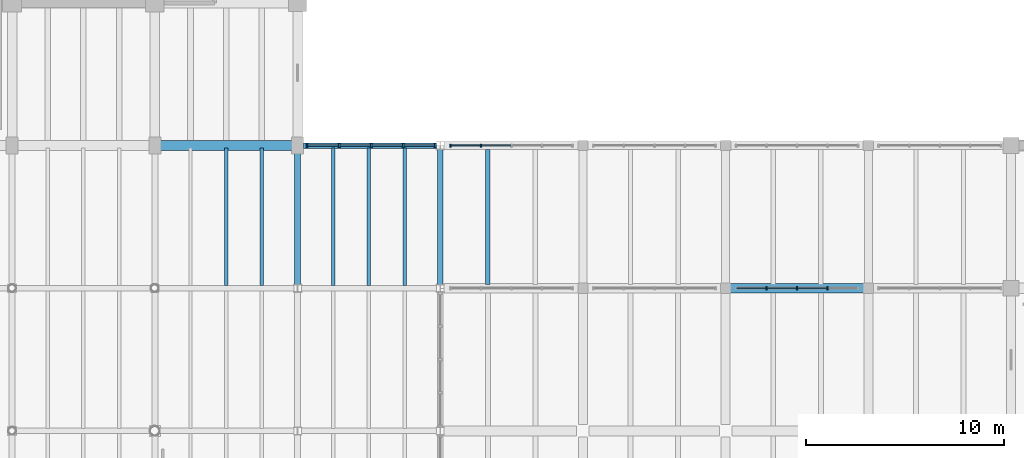
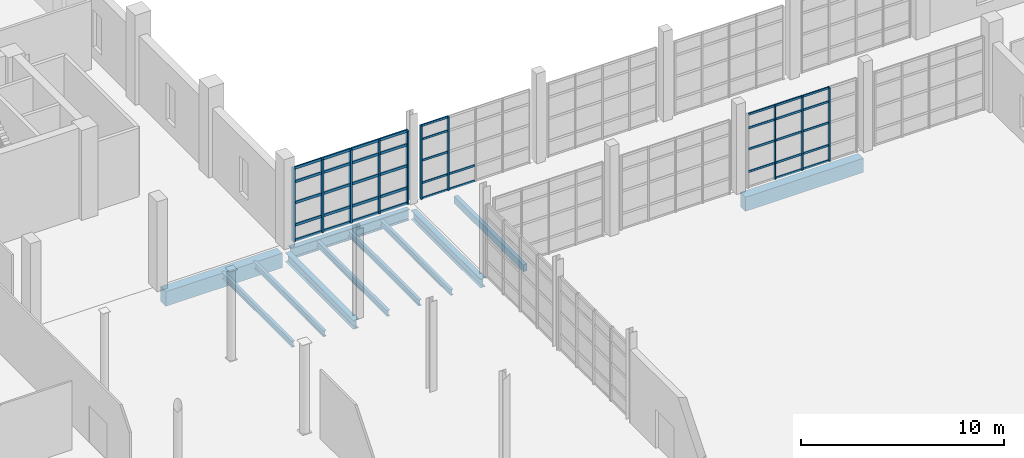
# One storey, part 38 of 79: 51 members, 11 beams, 3 elements without a shape of their own.
"""IFC4 building model written with IfcOpenShell, lengths in metres."""

from ifc_helpers import new_model, si_unit, direction, frame, origin, origin_2d, place, context, subcontext, project, spatial, rectangle, i_section, extrude, material, material_profile, profile_set, type_object, element, aggregate, save


model = new_model("IFC4")

# Units and contexts
model_context = context("Model", 3, precision=1e-05, world=origin(), true_north=direction((0.0, 1.0)))
body_context = subcontext(model_context, "Body", "Model", "MODEL_VIEW")
ifc_project = project(units=[si_unit("LENGTHUNIT", "METRE"), si_unit("AREAUNIT", "SQUARE_METRE"), si_unit("VOLUMEUNIT", "CUBIC_METRE"), si_unit("PLANEANGLEUNIT", "RADIAN"), si_unit("MASSUNIT", "GRAM", prefix="KILO")], contexts=[model_context])

# Site, building, storey
site_placement = place(None, origin())
site = spatial("IfcSite", under=ifc_project, at=site_placement, CompositionType="ELEMENT")
building_placement = place(site_placement, origin())
building = spatial("IfcBuilding", under=site, at=building_placement, Name="Qiaolan Assembly House", CompositionType="ELEMENT")
storey_placement = place(building_placement, origin())
storey = spatial("IfcBuildingStorey", under=building, at=storey_placement, Name="L00", CompositionType="ELEMENT", Elevation=0.0)

# Beams
ifc_material_1 = material(Name="Concrete C45/55", Category="concrete")
ifc_material_profile_1 = material_profile(ifc_material_1, rectangle(XDim=0.5, YDim=0.85009765625, at=origin_2d()), Name="RCB 500x850")
ifc_profile_set_1 = profile_set([ifc_material_profile_1], Name="Concrete C45/55")
beam_type_1 = type_object("IfcBeamType", Name="BM-RC-500x850", PredefinedType="BEAM", material=ifc_profile_set_1)
beam_1_placement = place(storey_placement, frame((122.64990234375, 79.199951171875, -0.764892578125), z_axis=(1.0, 0.0, 0.0), x_axis=(0.0, 1.0, 0.0)))
element("IfcBeam", 1, at=beam_1_placement, inside=storey, type_object=beam_type_1, Name="GB-02 beam BMX-CLCRT-L00-02-05", PredefinedType="BEAM", context=body_context, shape_type="SweptSolid", body=[
    extrude(rectangle(XDim=0.5, YDim=0.85009765625, at=origin_2d()), origin(), (0.0, 0.0, 1.0), 6.7001953125),
])
ifc_material_profile_2 = material_profile(ifc_material_1, rectangle(XDim=0.52001953125, YDim=0.8798828125, at=origin_2d()), Name="RCB 520x880")
ifc_profile_set_2 = profile_set([ifc_material_profile_2], Name="Concrete C45/55")
beam_type_2 = type_object("IfcBeamType", Name="BM-RC-520x880", PredefinedType="BEAM", material=ifc_profile_set_2)
beam_2_placement = place(storey_placement, frame((93.889892578125, 86.39990234375, -0.739990234375), z_axis=(1.0, 0.0, 0.0), x_axis=(0.0, 1.0, 0.0)))
element("IfcBeam", 2, at=beam_2_placement, inside=storey, type_object=beam_type_2, Name="GB-10 beam BMX-NW-L00-08-00", PredefinedType="BEAM", context=body_context, shape_type="SweptSolid", body=[
    extrude(rectangle(XDim=0.52001953125, YDim=0.8798828125, at=origin_2d()), origin(), (0.0, 0.0, 1.0), 6.6201171875),
])
ifc_material_2 = material(Name="Steel Q355B", Category="steel")
ifc_material_profile_3 = material_profile(ifc_material_2, i_section(OverallWidth=0.300048828125, OverallDepth=0.5400390625, WebThickness=0.010986328125, FlangeThickness=0.01806640625, FilletRadius=0.02001953125, at=origin_2d()), Name="HM 540x300x11x18")
ifc_profile_set_3 = profile_set([ifc_material_profile_3], Name="Steel Q355B")
beam_type_3 = type_object("IfcBeamType", Name="BM-STL-HM540", PredefinedType="BEAM", material=ifc_profile_set_3)
beam_3_placement = place(storey_placement, frame((100.800048828125, 79.389892578125, -0.570068359375), z_axis=(0.0, 1.0, 0.0), x_axis=(-1.0, 0.0, 0.0)))
element("IfcBeam", 3, at=beam_3_placement, inside=storey, type_object=beam_type_3, Name="SB-12 beam BMY-HL-L00-11-06", PredefinedType="BEAM", context=body_context, shape_type="SweptSolid", body=[
    extrude(i_section(OverallWidth=0.300048828125, OverallDepth=0.5400390625, WebThickness=0.010986328125, FlangeThickness=0.01806640625, FilletRadius=0.02001953125, at=origin_2d()), origin(), (0.0, 0.0, 1.0), 6.72021484375),
])
beam_4_placement = place(storey_placement, frame((108.0, 79.389892578125, -0.610107421875), z_axis=(0.0, 1.0, 0.0), x_axis=(-1.0, 0.0, 0.0)))
element("IfcBeam", 4, at=beam_4_placement, inside=storey, type_object=beam_type_3, Name="SB-12 beam BMY-HL-L00-12-06", PredefinedType="BEAM", context=body_context, shape_type="SweptSolid", body=[
    extrude(i_section(OverallWidth=0.300048828125, OverallDepth=0.5400390625, WebThickness=0.010986328125, FlangeThickness=0.01806640625, FilletRadius=0.02001953125, at=origin_2d()), origin(), (0.0, 0.0, 1.0), 6.820068359375),
])
ifc_material_profile_4 = material_profile(ifc_material_2, i_section(OverallWidth=0.280029296875, OverallDepth=0.64990234375, WebThickness=0.011962890625, FlangeThickness=0.02197265625, FilletRadius=0.02197265625, at=origin_2d()), Name="HN 650x280x12x22")
ifc_profile_set_4 = profile_set([ifc_material_profile_4], Name="Steel Q355B")
beam_type_4 = type_object("IfcBeamType", Name="BM-STL-HN650", PredefinedType="BEAM", material=ifc_profile_set_4)
beam_5_placement = place(storey_placement, frame((101.090087890625, 86.39990234375, -0.625), z_axis=(1.0, 0.0, 0.0), x_axis=(0.0, 1.0, 0.0)))
element("IfcBeam", 5, at=beam_5_placement, inside=storey, type_object=beam_type_4, Name="SB-10 beam BMX-HL-L00-11-07", PredefinedType="BEAM", context=body_context, shape_type="SweptSolid", body=[
    extrude(i_section(OverallWidth=0.280029296875, OverallDepth=0.64990234375, WebThickness=0.011962890625, FlangeThickness=0.02197265625, FilletRadius=0.02197265625, at=origin_2d()), origin(), (0.0, 0.0, 1.0), 6.719970703125),
])

# Curtain wall, members
ifc_material_3 = material(Name="Anodised bronze aluminium", Category="aluminium")
curtain_wall_type_1 = type_object("IfcCurtainWallType", Name="CW-CLOISTER-420", PredefinedType="NOTDEFINED", material=ifc_material_3)
curtain_wall_1_placement = place(storey_placement, origin())
curtain_wall_1 = element("IfcCurtainWall", 6, at=curtain_wall_1_placement, inside=storey, type_object=curtain_wall_type_1, Name="CW-05 North Cloister outer arcade L00-1", PredefinedType="NOTDEFINED")
ifc_material_profile_5 = material_profile(ifc_material_3, rectangle(XDim=0.070068359375, YDim=0.155029296875, at=origin_2d()), Name="MUL 70x155")
ifc_profile_set_5 = profile_set([ifc_material_profile_5], Name="Anodised bronze aluminium")
member_type_1 = type_object("IfcMemberType", Name="CW-CLOISTER-420-MUL", PredefinedType="MULLION", material=ifc_profile_set_5)
member_1_placement = place(storey_placement, frame((110.06005859375, 86.39990234375, 0.0), z_axis=(0.0, 0.0, 1.0), x_axis=(-1.0, 0.0, 0.0)))
member_1 = element("IfcMember", 7, at=member_1_placement, type_object=member_type_1, Name="ML-06 mullion CW-CLN-OUT-L00-0-4", PredefinedType="MULLION", context=body_context, shape_type="SweptSolid", body=[
    extrude(rectangle(XDim=0.070068359375, YDim=0.155029296875, at=origin_2d()), origin(), (0.0, 0.0, 1.0), 4.419921875),
])
member_2_placement = place(storey_placement, frame((108.52001953125, 86.39990234375, 0.0), z_axis=(0.0, 0.0, 1.0), x_axis=(-1.0, 0.0, 0.0)))
member_2 = element("IfcMember", 8, at=member_2_placement, type_object=member_type_1, Name="ML-06 mullion CW-CLN-OUT-L00-0-5", PredefinedType="MULLION", context=body_context, shape_type="SweptSolid", body=[
    extrude(rectangle(XDim=0.070068359375, YDim=0.155029296875, at=origin_2d()), origin(), (0.0, 0.0, 1.0), 4.419921875),
])

curtain_wall_2_placement = place(storey_placement, origin())
curtain_wall_2 = element("IfcCurtainWall", 9, at=curtain_wall_2_placement, inside=storey, type_object=curtain_wall_type_1, Name="CW-05 North Cloister court arcade L00-3", PredefinedType="NOTDEFINED")
member_3_placement = place(storey_placement, frame((124.4599609375, 79.199951171875, 0.0), z_axis=(0.0, 0.0, 1.0), x_axis=(1.0, 0.0, 0.0)))
member_3 = element("IfcMember", 10, at=member_3_placement, type_object=member_type_1, Name="ML-06 mullion CW-CLN-CRT-L00-2-2", PredefinedType="MULLION", context=body_context, shape_type="SweptSolid", body=[
    extrude(rectangle(XDim=0.070068359375, YDim=0.155029296875, at=origin_2d()), origin(), (0.0, 0.0, 1.0), 4.419921875),
])
member_4_placement = place(storey_placement, frame((126.0, 79.199951171875, 0.0), z_axis=(0.0, 0.0, 1.0), x_axis=(1.0, 0.0, 0.0)))
member_4 = element("IfcMember", 11, at=member_4_placement, type_object=member_type_1, Name="ML-06 mullion CW-CLN-CRT-L00-2-3", PredefinedType="MULLION", context=body_context, shape_type="SweptSolid", body=[
    extrude(rectangle(XDim=0.070068359375, YDim=0.155029296875, at=origin_2d()), origin(), (0.0, 0.0, 1.0), 4.419921875),
])
member_5_placement = place(storey_placement, frame((127.5400390625, 79.199951171875, 0.0), z_axis=(0.0, 0.0, 1.0), x_axis=(1.0, 0.0, 0.0)))
member_5 = element("IfcMember", 12, at=member_5_placement, type_object=member_type_1, Name="ML-06 mullion CW-CLN-CRT-L00-2-4", PredefinedType="MULLION", context=body_context, shape_type="SweptSolid", body=[
    extrude(rectangle(XDim=0.070068359375, YDim=0.155029296875, at=origin_2d()), origin(), (0.0, 0.0, 1.0), 4.419921875),
])

# Member
ifc_material_profile_6 = material_profile(ifc_material_3, rectangle(XDim=0.06201171875, YDim=0.125, at=origin_2d()), Name="TRN 62x125")
ifc_profile_set_6 = profile_set([ifc_material_profile_6], Name="Anodised bronze aluminium")
member_type_2 = type_object("IfcMemberType", Name="CW-CLOISTER-420-TRN", PredefinedType="USERDEFINED", material=ifc_profile_set_6)
member_6_placement = place(storey_placement, frame((111.56494140625, 86.39990234375, 0.030029296875), z_axis=(-1.0, 0.0, 0.0), x_axis=(0.0, -1.0, 0.0)))
member_6 = element("IfcMember", 13, at=member_6_placement, type_object=member_type_2, Name="TR-06 transom CW-CLN-OUT-L00-0-3-1", ObjectType="TRANSOM", PredefinedType="USERDEFINED", context=body_context, shape_type="SweptSolid", body=[
    extrude(rectangle(XDim=0.06201171875, YDim=0.125, at=origin_2d()), origin(), (0.0, 0.0, 1.0), 1.469970703125),
])

member_7_placement = place(storey_placement, frame((111.56494140625, 86.39990234375, 0.949951171875), z_axis=(-1.0, 0.0, 0.0), x_axis=(0.0, -1.0, 0.0)))
member_7 = element("IfcMember", 14, at=member_7_placement, type_object=member_type_2, Name="TR-06 transom CW-CLN-OUT-L00-0-3-2", ObjectType="TRANSOM", PredefinedType="USERDEFINED", context=body_context, shape_type="SweptSolid", body=[
    extrude(rectangle(XDim=0.06201171875, YDim=0.125, at=origin_2d()), origin(), (0.0, 0.0, 1.0), 1.469970703125),
])

member_8_placement = place(storey_placement, frame((110.02490234375, 86.39990234375, 0.030029296875), z_axis=(-1.0, 0.0, 0.0), x_axis=(0.0, -1.0, 0.0)))
member_8 = element("IfcMember", 15, at=member_8_placement, type_object=member_type_2, Name="TR-06 transom CW-CLN-OUT-L00-0-4-1", ObjectType="TRANSOM", PredefinedType="USERDEFINED", context=body_context, shape_type="SweptSolid", body=[
    extrude(rectangle(XDim=0.06201171875, YDim=0.125, at=origin_2d()), origin(), (0.0, 0.0, 1.0), 1.469970703125),
])

member_9_placement = place(storey_placement, frame((110.02490234375, 86.39990234375, 0.949951171875), z_axis=(-1.0, 0.0, 0.0), x_axis=(0.0, -1.0, 0.0)))
member_9 = element("IfcMember", 16, at=member_9_placement, type_object=member_type_2, Name="TR-06 transom CW-CLN-OUT-L00-0-4-2", ObjectType="TRANSOM", PredefinedType="USERDEFINED", context=body_context, shape_type="SweptSolid", body=[
    extrude(rectangle(XDim=0.06201171875, YDim=0.125, at=origin_2d()), origin(), (0.0, 0.0, 1.0), 1.469970703125),
])

member_10_placement = place(storey_placement, frame((110.02490234375, 86.39990234375, 2.29833984375), z_axis=(-1.0, 0.0, 0.0), x_axis=(0.0, -1.0, 0.0)))
member_10 = element("IfcMember", 17, at=member_10_placement, type_object=member_type_2, Name="TR-06 transom CW-CLN-OUT-L00-0-4-3", ObjectType="TRANSOM", PredefinedType="USERDEFINED", context=body_context, shape_type="SweptSolid", body=[
    extrude(rectangle(XDim=0.06201171875, YDim=0.125, at=origin_2d()), origin(), (0.0, 0.0, 1.0), 1.469970703125),
])

member_11_placement = place(storey_placement, frame((110.02490234375, 86.39990234375, 3.570068359375), z_axis=(-1.0, 0.0, 0.0), x_axis=(0.0, -1.0, 0.0)))
member_11 = element("IfcMember", 18, at=member_11_placement, type_object=member_type_2, Name="TR-06 transom CW-CLN-OUT-L00-0-4-4", ObjectType="TRANSOM", PredefinedType="USERDEFINED", context=body_context, shape_type="SweptSolid", body=[
    extrude(rectangle(XDim=0.06201171875, YDim=0.125, at=origin_2d()), origin(), (0.0, 0.0, 1.0), 1.469970703125),
])

member_12_placement = place(storey_placement, frame((110.02490234375, 86.39990234375, 4.389892578125), z_axis=(-1.0, 0.0, 0.0), x_axis=(0.0, -1.0, 0.0)))
member_12 = element("IfcMember", 19, at=member_12_placement, type_object=member_type_2, Name="TR-06 transom CW-CLN-OUT-L00-0-4-5", ObjectType="TRANSOM", PredefinedType="USERDEFINED", context=body_context, shape_type="SweptSolid", body=[
    extrude(rectangle(XDim=0.06201171875, YDim=0.125, at=origin_2d()), origin(), (0.0, 0.0, 1.0), 1.469970703125),
])

aggregate(curtain_wall_1, [member_1, member_2, member_6, member_7, member_8, member_9, member_10, member_11, member_12])

member_13_placement = place(storey_placement, frame((122.955078125, 79.199951171875, 0.949951171875), z_axis=(1.0, 0.0, 0.0), x_axis=(0.0, 1.0, 0.0)))
member_13 = element("IfcMember", 20, at=member_13_placement, type_object=member_type_2, Name="TR-06 transom CW-CLN-CRT-L00-2-1-2", ObjectType="TRANSOM", PredefinedType="USERDEFINED", context=body_context, shape_type="SweptSolid", body=[
    extrude(rectangle(XDim=0.06201171875, YDim=0.125, at=origin_2d()), origin(), (0.0, 0.0, 1.0), 1.469970703125),
])

member_14_placement = place(storey_placement, frame((122.955078125, 79.199951171875, 2.29833984375), z_axis=(1.0, 0.0, 0.0), x_axis=(0.0, 1.0, 0.0)))
member_14 = element("IfcMember", 21, at=member_14_placement, type_object=member_type_2, Name="TR-06 transom CW-CLN-CRT-L00-2-1-3", ObjectType="TRANSOM", PredefinedType="USERDEFINED", context=body_context, shape_type="SweptSolid", body=[
    extrude(rectangle(XDim=0.06201171875, YDim=0.125, at=origin_2d()), origin(), (0.0, 0.0, 1.0), 1.469970703125),
])

member_15_placement = place(storey_placement, frame((122.955078125, 79.199951171875, 3.570068359375), z_axis=(1.0, 0.0, 0.0), x_axis=(0.0, 1.0, 0.0)))
member_15 = element("IfcMember", 22, at=member_15_placement, type_object=member_type_2, Name="TR-06 transom CW-CLN-CRT-L00-2-1-4", ObjectType="TRANSOM", PredefinedType="USERDEFINED", context=body_context, shape_type="SweptSolid", body=[
    extrude(rectangle(XDim=0.06201171875, YDim=0.125, at=origin_2d()), origin(), (0.0, 0.0, 1.0), 1.469970703125),
])

member_16_placement = place(storey_placement, frame((122.955078125, 79.199951171875, 4.389892578125), z_axis=(1.0, 0.0, 0.0), x_axis=(0.0, 1.0, 0.0)))
member_16 = element("IfcMember", 23, at=member_16_placement, type_object=member_type_2, Name="TR-06 transom CW-CLN-CRT-L00-2-1-5", ObjectType="TRANSOM", PredefinedType="USERDEFINED", context=body_context, shape_type="SweptSolid", body=[
    extrude(rectangle(XDim=0.06201171875, YDim=0.125, at=origin_2d()), origin(), (0.0, 0.0, 1.0), 1.469970703125),
])

member_17_placement = place(storey_placement, frame((124.4951171875, 79.199951171875, 0.030029296875), z_axis=(1.0, 0.0, 0.0), x_axis=(0.0, 1.0, 0.0)))
member_17 = element("IfcMember", 24, at=member_17_placement, type_object=member_type_2, Name="TR-06 transom CW-CLN-CRT-L00-2-2-1", ObjectType="TRANSOM", PredefinedType="USERDEFINED", context=body_context, shape_type="SweptSolid", body=[
    extrude(rectangle(XDim=0.06201171875, YDim=0.125, at=origin_2d()), origin(), (0.0, 0.0, 1.0), 1.469970703125),
])

member_18_placement = place(storey_placement, frame((124.4951171875, 79.199951171875, 0.949951171875), z_axis=(1.0, 0.0, 0.0), x_axis=(0.0, 1.0, 0.0)))
member_18 = element("IfcMember", 25, at=member_18_placement, type_object=member_type_2, Name="TR-06 transom CW-CLN-CRT-L00-2-2-2", ObjectType="TRANSOM", PredefinedType="USERDEFINED", context=body_context, shape_type="SweptSolid", body=[
    extrude(rectangle(XDim=0.06201171875, YDim=0.125, at=origin_2d()), origin(), (0.0, 0.0, 1.0), 1.469970703125),
])

member_19_placement = place(storey_placement, frame((124.4951171875, 79.199951171875, 2.29833984375), z_axis=(1.0, 0.0, 0.0), x_axis=(0.0, 1.0, 0.0)))
member_19 = element("IfcMember", 26, at=member_19_placement, type_object=member_type_2, Name="TR-06 transom CW-CLN-CRT-L00-2-2-3", ObjectType="TRANSOM", PredefinedType="USERDEFINED", context=body_context, shape_type="SweptSolid", body=[
    extrude(rectangle(XDim=0.06201171875, YDim=0.125, at=origin_2d()), origin(), (0.0, 0.0, 1.0), 1.469970703125),
])

member_20_placement = place(storey_placement, frame((124.4951171875, 79.199951171875, 3.570068359375), z_axis=(1.0, 0.0, 0.0), x_axis=(0.0, 1.0, 0.0)))
member_20 = element("IfcMember", 27, at=member_20_placement, type_object=member_type_2, Name="TR-06 transom CW-CLN-CRT-L00-2-2-4", ObjectType="TRANSOM", PredefinedType="USERDEFINED", context=body_context, shape_type="SweptSolid", body=[
    extrude(rectangle(XDim=0.06201171875, YDim=0.125, at=origin_2d()), origin(), (0.0, 0.0, 1.0), 1.469970703125),
])

member_21_placement = place(storey_placement, frame((124.4951171875, 79.199951171875, 4.389892578125), z_axis=(1.0, 0.0, 0.0), x_axis=(0.0, 1.0, 0.0)))
member_21 = element("IfcMember", 28, at=member_21_placement, type_object=member_type_2, Name="TR-06 transom CW-CLN-CRT-L00-2-2-5", ObjectType="TRANSOM", PredefinedType="USERDEFINED", context=body_context, shape_type="SweptSolid", body=[
    extrude(rectangle(XDim=0.06201171875, YDim=0.125, at=origin_2d()), origin(), (0.0, 0.0, 1.0), 1.469970703125),
])

member_22_placement = place(storey_placement, frame((126.034912109375, 79.199951171875, 0.030029296875), z_axis=(1.0, 0.0, 0.0), x_axis=(0.0, 1.0, 0.0)))
member_22 = element("IfcMember", 29, at=member_22_placement, type_object=member_type_2, Name="TR-06 transom CW-CLN-CRT-L00-2-3-1", ObjectType="TRANSOM", PredefinedType="USERDEFINED", context=body_context, shape_type="SweptSolid", body=[
    extrude(rectangle(XDim=0.06201171875, YDim=0.125, at=origin_2d()), origin(), (0.0, 0.0, 1.0), 1.469970703125),
])

member_23_placement = place(storey_placement, frame((126.034912109375, 79.199951171875, 0.949951171875), z_axis=(1.0, 0.0, 0.0), x_axis=(0.0, 1.0, 0.0)))
member_23 = element("IfcMember", 30, at=member_23_placement, type_object=member_type_2, Name="TR-06 transom CW-CLN-CRT-L00-2-3-2", ObjectType="TRANSOM", PredefinedType="USERDEFINED", context=body_context, shape_type="SweptSolid", body=[
    extrude(rectangle(XDim=0.06201171875, YDim=0.125, at=origin_2d()), origin(), (0.0, 0.0, 1.0), 1.469970703125),
])

member_24_placement = place(storey_placement, frame((126.034912109375, 79.199951171875, 2.29833984375), z_axis=(1.0, 0.0, 0.0), x_axis=(0.0, 1.0, 0.0)))
member_24 = element("IfcMember", 31, at=member_24_placement, type_object=member_type_2, Name="TR-06 transom CW-CLN-CRT-L00-2-3-3", ObjectType="TRANSOM", PredefinedType="USERDEFINED", context=body_context, shape_type="SweptSolid", body=[
    extrude(rectangle(XDim=0.06201171875, YDim=0.125, at=origin_2d()), origin(), (0.0, 0.0, 1.0), 1.469970703125),
])

member_25_placement = place(storey_placement, frame((126.034912109375, 79.199951171875, 3.570068359375), z_axis=(1.0, 0.0, 0.0), x_axis=(0.0, 1.0, 0.0)))
member_25 = element("IfcMember", 32, at=member_25_placement, type_object=member_type_2, Name="TR-06 transom CW-CLN-CRT-L00-2-3-4", ObjectType="TRANSOM", PredefinedType="USERDEFINED", context=body_context, shape_type="SweptSolid", body=[
    extrude(rectangle(XDim=0.06201171875, YDim=0.125, at=origin_2d()), origin(), (0.0, 0.0, 1.0), 1.469970703125),
])

member_26_placement = place(storey_placement, frame((126.034912109375, 79.199951171875, 4.389892578125), z_axis=(1.0, 0.0, 0.0), x_axis=(0.0, 1.0, 0.0)))
member_26 = element("IfcMember", 33, at=member_26_placement, type_object=member_type_2, Name="TR-06 transom CW-CLN-CRT-L00-2-3-5", ObjectType="TRANSOM", PredefinedType="USERDEFINED", context=body_context, shape_type="SweptSolid", body=[
    extrude(rectangle(XDim=0.06201171875, YDim=0.125, at=origin_2d()), origin(), (0.0, 0.0, 1.0), 1.469970703125),
])

aggregate(curtain_wall_2, [member_3, member_4, member_5, member_13, member_14, member_15, member_16, member_17, member_18, member_19, member_20, member_21, member_22, member_23, member_24, member_25, member_26])

# Curtain wall, members
curtain_wall_type_2 = type_object("IfcCurtainWallType", Name="CW-HALL-MAIN-540", PredefinedType="NOTDEFINED", material=ifc_material_3)
curtain_wall_3_placement = place(storey_placement, origin())
curtain_wall_3 = element("IfcCurtainWall", 34, at=curtain_wall_3_placement, inside=storey, type_object=curtain_wall_type_2, Name="CW-02 Hall North-East link CW L00", PredefinedType="NOTDEFINED")
ifc_material_profile_7 = material_profile(ifc_material_3, rectangle(XDim=0.092041015625, YDim=0.219970703125, at=origin_2d()), Name="MUL 92x220")
ifc_profile_set_7 = profile_set([ifc_material_profile_7], Name="Anodised bronze aluminium")
member_type_3 = type_object("IfcMemberType", Name="CW-HALL-MAIN-540-MUL", PredefinedType="MULLION", material=ifc_profile_set_7)
member_27_placement = place(storey_placement, frame((107.75, 86.39990234375, 0.0), z_axis=(0.0, 0.0, 1.0), x_axis=(-1.0, 0.0, 0.0)))
member_27 = element("IfcMember", 35, at=member_27_placement, type_object=member_type_3, Name="ML-01 mullion CW-HALL-NEJ-L00-1", PredefinedType="MULLION", context=body_context, shape_type="SweptSolid", body=[
    extrude(rectangle(XDim=0.092041015625, YDim=0.219970703125, at=origin_2d()), origin(), (0.0, 0.0, 1.0), 4.39990234375),
])
member_28_placement = place(storey_placement, frame((106.132568359375, 86.39990234375, 0.0), z_axis=(0.0, 0.0, 1.0), x_axis=(-1.0, 0.0, 0.0)))
member_28 = element("IfcMember", 36, at=member_28_placement, type_object=member_type_3, Name="ML-01 mullion CW-HALL-NEJ-L00-2", PredefinedType="MULLION", context=body_context, shape_type="SweptSolid", body=[
    extrude(rectangle(XDim=0.092041015625, YDim=0.219970703125, at=origin_2d()), origin(), (0.0, 0.0, 1.0), 4.39990234375),
])
member_29_placement = place(storey_placement, frame((104.514892578125, 86.39990234375, 0.0), z_axis=(0.0, 0.0, 1.0), x_axis=(-1.0, 0.0, 0.0)))
member_29 = element("IfcMember", 37, at=member_29_placement, type_object=member_type_3, Name="ML-01 mullion CW-HALL-NEJ-L00-3", PredefinedType="MULLION", context=body_context, shape_type="SweptSolid", body=[
    extrude(rectangle(XDim=0.092041015625, YDim=0.219970703125, at=origin_2d()), origin(), (0.0, 0.0, 1.0), 4.39990234375),
])
member_30_placement = place(storey_placement, frame((102.8974609375, 86.39990234375, 0.0), z_axis=(0.0, 0.0, 1.0), x_axis=(-1.0, 0.0, 0.0)))
member_30 = element("IfcMember", 38, at=member_30_placement, type_object=member_type_3, Name="ML-01 mullion CW-HALL-NEJ-L00-4", PredefinedType="MULLION", context=body_context, shape_type="SweptSolid", body=[
    extrude(rectangle(XDim=0.092041015625, YDim=0.219970703125, at=origin_2d()), origin(), (0.0, 0.0, 1.0), 4.39990234375),
])
member_31_placement = place(storey_placement, frame((101.280029296875, 86.39990234375, 0.0), z_axis=(0.0, 0.0, 1.0), x_axis=(-1.0, 0.0, 0.0)))
member_31 = element("IfcMember", 39, at=member_31_placement, type_object=member_type_3, Name="ML-01 mullion CW-HALL-NEJ-L00-5", PredefinedType="MULLION", context=body_context, shape_type="SweptSolid", body=[
    extrude(rectangle(XDim=0.092041015625, YDim=0.219970703125, at=origin_2d()), origin(), (0.0, 0.0, 1.0), 4.39990234375),
])
ifc_material_profile_8 = material_profile(ifc_material_3, rectangle(XDim=0.08203125, YDim=0.159912109375, at=origin_2d()), Name="TRN 82x160")
ifc_profile_set_8 = profile_set([ifc_material_profile_8], Name="Anodised bronze aluminium")
member_type_4 = type_object("IfcMemberType", Name="CW-HALL-MAIN-540-TRN", PredefinedType="USERDEFINED", material=ifc_profile_set_8)
member_32_placement = place(storey_placement, frame((107.7041015625, 86.39990234375, 0.030029296875), z_axis=(-1.0, 0.0, 0.0), x_axis=(0.0, -1.0, 0.0)))
member_32 = element("IfcMember", 40, at=member_32_placement, type_object=member_type_4, Name="TR-01 transom CW-HALL-NEJ-L00-1-1", ObjectType="TRANSOM", PredefinedType="USERDEFINED", context=body_context, shape_type="SweptSolid", body=[
    extrude(rectangle(XDim=0.08203125, YDim=0.159912109375, at=origin_2d()), origin(), (0.0, 0.0, 1.0), 1.525634765625),
])
member_33_placement = place(storey_placement, frame((107.7041015625, 86.39990234375, 0.949951171875), z_axis=(-1.0, 0.0, 0.0), x_axis=(0.0, -1.0, 0.0)))
member_33 = element("IfcMember", 41, at=member_33_placement, type_object=member_type_4, Name="TR-01 transom CW-HALL-NEJ-L00-1-2", ObjectType="TRANSOM", PredefinedType="USERDEFINED", context=body_context, shape_type="SweptSolid", body=[
    extrude(rectangle(XDim=0.08203125, YDim=0.159912109375, at=origin_2d()), origin(), (0.0, 0.0, 1.0), 1.525634765625),
])
member_34_placement = place(storey_placement, frame((107.7041015625, 86.39990234375, 2.2880859375), z_axis=(-1.0, 0.0, 0.0), x_axis=(0.0, -1.0, 0.0)))
member_34 = element("IfcMember", 42, at=member_34_placement, type_object=member_type_4, Name="TR-01 transom CW-HALL-NEJ-L00-1-3", ObjectType="TRANSOM", PredefinedType="USERDEFINED", context=body_context, shape_type="SweptSolid", body=[
    extrude(rectangle(XDim=0.08203125, YDim=0.159912109375, at=origin_2d()), origin(), (0.0, 0.0, 1.0), 1.525634765625),
])
member_35_placement = place(storey_placement, frame((107.7041015625, 86.39990234375, 3.550048828125), z_axis=(-1.0, 0.0, 0.0), x_axis=(0.0, -1.0, 0.0)))
member_35 = element("IfcMember", 43, at=member_35_placement, type_object=member_type_4, Name="TR-01 transom CW-HALL-NEJ-L00-1-4", ObjectType="TRANSOM", PredefinedType="USERDEFINED", context=body_context, shape_type="SweptSolid", body=[
    extrude(rectangle(XDim=0.08203125, YDim=0.159912109375, at=origin_2d()), origin(), (0.0, 0.0, 1.0), 1.525634765625),
])
member_36_placement = place(storey_placement, frame((107.7041015625, 86.39990234375, 4.3701171875), z_axis=(-1.0, 0.0, 0.0), x_axis=(0.0, -1.0, 0.0)))
member_36 = element("IfcMember", 44, at=member_36_placement, type_object=member_type_4, Name="TR-01 transom CW-HALL-NEJ-L00-1-5", ObjectType="TRANSOM", PredefinedType="USERDEFINED", context=body_context, shape_type="SweptSolid", body=[
    extrude(rectangle(XDim=0.08203125, YDim=0.159912109375, at=origin_2d()), origin(), (0.0, 0.0, 1.0), 1.525634765625),
])
member_37_placement = place(storey_placement, frame((106.08642578125, 86.39990234375, 0.030029296875), z_axis=(-1.0, 0.0, 0.0), x_axis=(0.0, -1.0, 0.0)))
member_37 = element("IfcMember", 45, at=member_37_placement, type_object=member_type_4, Name="TR-01 transom CW-HALL-NEJ-L00-2-1", ObjectType="TRANSOM", PredefinedType="USERDEFINED", context=body_context, shape_type="SweptSolid", body=[
    extrude(rectangle(XDim=0.08203125, YDim=0.159912109375, at=origin_2d()), origin(), (0.0, 0.0, 1.0), 1.525390625),
])
member_38_placement = place(storey_placement, frame((106.08642578125, 86.39990234375, 0.949951171875), z_axis=(-1.0, 0.0, 0.0), x_axis=(0.0, -1.0, 0.0)))
member_38 = element("IfcMember", 46, at=member_38_placement, type_object=member_type_4, Name="TR-01 transom CW-HALL-NEJ-L00-2-2", ObjectType="TRANSOM", PredefinedType="USERDEFINED", context=body_context, shape_type="SweptSolid", body=[
    extrude(rectangle(XDim=0.08203125, YDim=0.159912109375, at=origin_2d()), origin(), (0.0, 0.0, 1.0), 1.525390625),
])
member_39_placement = place(storey_placement, frame((106.08642578125, 86.39990234375, 2.2880859375), z_axis=(-1.0, 0.0, 0.0), x_axis=(0.0, -1.0, 0.0)))
member_39 = element("IfcMember", 47, at=member_39_placement, type_object=member_type_4, Name="TR-01 transom CW-HALL-NEJ-L00-2-3", ObjectType="TRANSOM", PredefinedType="USERDEFINED", context=body_context, shape_type="SweptSolid", body=[
    extrude(rectangle(XDim=0.08203125, YDim=0.159912109375, at=origin_2d()), origin(), (0.0, 0.0, 1.0), 1.525390625),
])
member_40_placement = place(storey_placement, frame((106.08642578125, 86.39990234375, 3.550048828125), z_axis=(-1.0, 0.0, 0.0), x_axis=(0.0, -1.0, 0.0)))
member_40 = element("IfcMember", 48, at=member_40_placement, type_object=member_type_4, Name="TR-01 transom CW-HALL-NEJ-L00-2-4", ObjectType="TRANSOM", PredefinedType="USERDEFINED", context=body_context, shape_type="SweptSolid", body=[
    extrude(rectangle(XDim=0.08203125, YDim=0.159912109375, at=origin_2d()), origin(), (0.0, 0.0, 1.0), 1.525390625),
])
member_41_placement = place(storey_placement, frame((106.08642578125, 86.39990234375, 4.3701171875), z_axis=(-1.0, 0.0, 0.0), x_axis=(0.0, -1.0, 0.0)))
member_41 = element("IfcMember", 49, at=member_41_placement, type_object=member_type_4, Name="TR-01 transom CW-HALL-NEJ-L00-2-5", ObjectType="TRANSOM", PredefinedType="USERDEFINED", context=body_context, shape_type="SweptSolid", body=[
    extrude(rectangle(XDim=0.08203125, YDim=0.159912109375, at=origin_2d()), origin(), (0.0, 0.0, 1.0), 1.525390625),
])
member_42_placement = place(storey_placement, frame((104.468994140625, 86.39990234375, 0.030029296875), z_axis=(-1.0, 0.0, 0.0), x_axis=(0.0, -1.0, 0.0)))
member_42 = element("IfcMember", 50, at=member_42_placement, type_object=member_type_4, Name="TR-01 transom CW-HALL-NEJ-L00-3-1", ObjectType="TRANSOM", PredefinedType="USERDEFINED", context=body_context, shape_type="SweptSolid", body=[
    extrude(rectangle(XDim=0.08203125, YDim=0.159912109375, at=origin_2d()), origin(), (0.0, 0.0, 1.0), 1.525390625),
])
member_43_placement = place(storey_placement, frame((104.468994140625, 86.39990234375, 0.949951171875), z_axis=(-1.0, 0.0, 0.0), x_axis=(0.0, -1.0, 0.0)))
member_43 = element("IfcMember", 51, at=member_43_placement, type_object=member_type_4, Name="TR-01 transom CW-HALL-NEJ-L00-3-2", ObjectType="TRANSOM", PredefinedType="USERDEFINED", context=body_context, shape_type="SweptSolid", body=[
    extrude(rectangle(XDim=0.08203125, YDim=0.159912109375, at=origin_2d()), origin(), (0.0, 0.0, 1.0), 1.525390625),
])
member_44_placement = place(storey_placement, frame((104.468994140625, 86.39990234375, 2.2880859375), z_axis=(-1.0, 0.0, 0.0), x_axis=(0.0, -1.0, 0.0)))
member_44 = element("IfcMember", 52, at=member_44_placement, type_object=member_type_4, Name="TR-01 transom CW-HALL-NEJ-L00-3-3", ObjectType="TRANSOM", PredefinedType="USERDEFINED", context=body_context, shape_type="SweptSolid", body=[
    extrude(rectangle(XDim=0.08203125, YDim=0.159912109375, at=origin_2d()), origin(), (0.0, 0.0, 1.0), 1.525390625),
])
member_45_placement = place(storey_placement, frame((104.468994140625, 86.39990234375, 3.550048828125), z_axis=(-1.0, 0.0, 0.0), x_axis=(0.0, -1.0, 0.0)))
member_45 = element("IfcMember", 53, at=member_45_placement, type_object=member_type_4, Name="TR-01 transom CW-HALL-NEJ-L00-3-4", ObjectType="TRANSOM", PredefinedType="USERDEFINED", context=body_context, shape_type="SweptSolid", body=[
    extrude(rectangle(XDim=0.08203125, YDim=0.159912109375, at=origin_2d()), origin(), (0.0, 0.0, 1.0), 1.525390625),
])
member_46_placement = place(storey_placement, frame((104.468994140625, 86.39990234375, 4.3701171875), z_axis=(-1.0, 0.0, 0.0), x_axis=(0.0, -1.0, 0.0)))
member_46 = element("IfcMember", 54, at=member_46_placement, type_object=member_type_4, Name="TR-01 transom CW-HALL-NEJ-L00-3-5", ObjectType="TRANSOM", PredefinedType="USERDEFINED", context=body_context, shape_type="SweptSolid", body=[
    extrude(rectangle(XDim=0.08203125, YDim=0.159912109375, at=origin_2d()), origin(), (0.0, 0.0, 1.0), 1.525390625),
])
member_47_placement = place(storey_placement, frame((102.8515625, 86.39990234375, 0.030029296875), z_axis=(-1.0, 0.0, 0.0), x_axis=(0.0, -1.0, 0.0)))
member_47 = element("IfcMember", 55, at=member_47_placement, type_object=member_type_4, Name="TR-01 transom CW-HALL-NEJ-L00-4-1", ObjectType="TRANSOM", PredefinedType="USERDEFINED", context=body_context, shape_type="SweptSolid", body=[
    extrude(rectangle(XDim=0.08203125, YDim=0.159912109375, at=origin_2d()), origin(), (0.0, 0.0, 1.0), 1.525634765625),
])
member_48_placement = place(storey_placement, frame((102.8515625, 86.39990234375, 0.949951171875), z_axis=(-1.0, 0.0, 0.0), x_axis=(0.0, -1.0, 0.0)))
member_48 = element("IfcMember", 56, at=member_48_placement, type_object=member_type_4, Name="TR-01 transom CW-HALL-NEJ-L00-4-2", ObjectType="TRANSOM", PredefinedType="USERDEFINED", context=body_context, shape_type="SweptSolid", body=[
    extrude(rectangle(XDim=0.08203125, YDim=0.159912109375, at=origin_2d()), origin(), (0.0, 0.0, 1.0), 1.525634765625),
])
member_49_placement = place(storey_placement, frame((102.8515625, 86.39990234375, 2.2880859375), z_axis=(-1.0, 0.0, 0.0), x_axis=(0.0, -1.0, 0.0)))
member_49 = element("IfcMember", 57, at=member_49_placement, type_object=member_type_4, Name="TR-01 transom CW-HALL-NEJ-L00-4-3", ObjectType="TRANSOM", PredefinedType="USERDEFINED", context=body_context, shape_type="SweptSolid", body=[
    extrude(rectangle(XDim=0.08203125, YDim=0.159912109375, at=origin_2d()), origin(), (0.0, 0.0, 1.0), 1.525634765625),
])
member_50_placement = place(storey_placement, frame((102.8515625, 86.39990234375, 3.550048828125), z_axis=(-1.0, 0.0, 0.0), x_axis=(0.0, -1.0, 0.0)))
member_50 = element("IfcMember", 58, at=member_50_placement, type_object=member_type_4, Name="TR-01 transom CW-HALL-NEJ-L00-4-4", ObjectType="TRANSOM", PredefinedType="USERDEFINED", context=body_context, shape_type="SweptSolid", body=[
    extrude(rectangle(XDim=0.08203125, YDim=0.159912109375, at=origin_2d()), origin(), (0.0, 0.0, 1.0), 1.525634765625),
])
member_51_placement = place(storey_placement, frame((102.8515625, 86.39990234375, 4.3701171875), z_axis=(-1.0, 0.0, 0.0), x_axis=(0.0, -1.0, 0.0)))
member_51 = element("IfcMember", 59, at=member_51_placement, type_object=member_type_4, Name="TR-01 transom CW-HALL-NEJ-L00-4-5", ObjectType="TRANSOM", PredefinedType="USERDEFINED", context=body_context, shape_type="SweptSolid", body=[
    extrude(rectangle(XDim=0.08203125, YDim=0.159912109375, at=origin_2d()), origin(), (0.0, 0.0, 1.0), 1.525634765625),
])
aggregate(curtain_wall_3, [member_27, member_28, member_29, member_30, member_31, member_32, member_33, member_34, member_35, member_36, member_37, member_38, member_39, member_40, member_41, member_42, member_43, member_44, member_45, member_46, member_47, member_48, member_49, member_50, member_51])

# Beams
ifc_material_4 = material(Name="Concrete C40/50", Category="concrete")
ifc_material_profile_9 = material_profile(ifc_material_4, rectangle(XDim=0.219970703125, YDim=0.419921875, at=origin_2d()), Name="RCB 220x420")
ifc_profile_set_9 = profile_set([ifc_material_profile_9], Name="Concrete C40/50")
beam_type_5 = type_object("IfcBeamType", Name="JST-RC-220x420", PredefinedType="JOIST", material=ifc_profile_set_9)
beam_6_placement = place(storey_placement, frame((110.39990234375, 79.39404296875, -0.550048828125), z_axis=(0.0, 1.0, 0.0), x_axis=(-1.0, 0.0, 0.0)))
element("IfcBeam", 60, at=beam_6_placement, inside=storey, type_object=beam_type_5, Name="RJ-03 beam JST-CLN-L00-00-00-1", PredefinedType="JOIST", context=body_context, shape_type="SweptSolid", body=[
    extrude(rectangle(XDim=0.219970703125, YDim=0.419921875, at=origin_2d()), origin(), (0.0, 0.0, 1.0), 6.81201171875),
])
ifc_material_profile_10 = material_profile(ifc_material_2, i_section(OverallWidth=0.175048828125, OverallDepth=0.35009765625, WebThickness=0.007080078125, FlangeThickness=0.010986328125, FilletRadius=0.013916015625, at=origin_2d()), Name="HN 350x175x7x11")
ifc_profile_set_10 = profile_set([ifc_material_profile_10], Name="Steel Q355B")
beam_type_6 = type_object("IfcBeamType", Name="JST-STL-HN350", PredefinedType="JOIST", material=ifc_profile_set_10)
for number, where, z_axis, x_axis, name in (
    (61, (97.199951171875, 79.333984375, -0.47509765625), (0.0, 1.0, 0.0), (-1.0, 0.0, 0.0), "SJ-01 beam JST-HL-L00-10-06-2"),
    (62, (99.0, 79.333984375, -0.47509765625), (0.0, 1.0, 0.0), (-1.0, 0.0, 0.0), "SJ-01 beam JST-HL-L00-10-06-3"),
    (63, (102.60009765625, 79.333984375, -0.514892578125), (0.0, 1.0, 0.0), (-1.0, 0.0, 0.0), "SJ-01 beam JST-HL-L00-11-06-1"),
    (64, (104.39990234375, 79.333984375, -0.514892578125), (0.0, 1.0, 0.0), (-1.0, 0.0, 0.0), "SJ-01 beam JST-HL-L00-11-06-2"),
    (65, (106.199951171875, 79.333984375, -0.514892578125), (0.0, 1.0, 0.0), (-1.0, 0.0, 0.0), "SJ-01 beam JST-HL-L00-11-06-3"),
):
    element("IfcBeam", number, at=place(storey_placement, frame(where, z_axis=z_axis, x_axis=x_axis)), inside=storey, type_object=beam_type_6, Name=name, PredefinedType="JOIST", context=body_context, shape_type="SweptSolid", body=[
        extrude(i_section(OverallWidth=0.175048828125, OverallDepth=0.35009765625, WebThickness=0.007080078125, FlangeThickness=0.010986328125, FilletRadius=0.013916015625, at=origin_2d()), origin(), (0.0, 0.0, 1.0), 6.93212890625),
    ])

save(model, "model.ifc")
